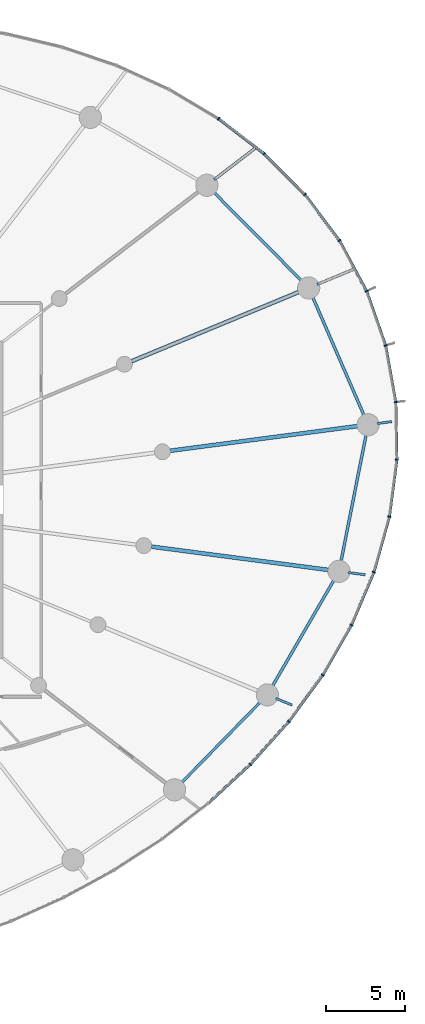
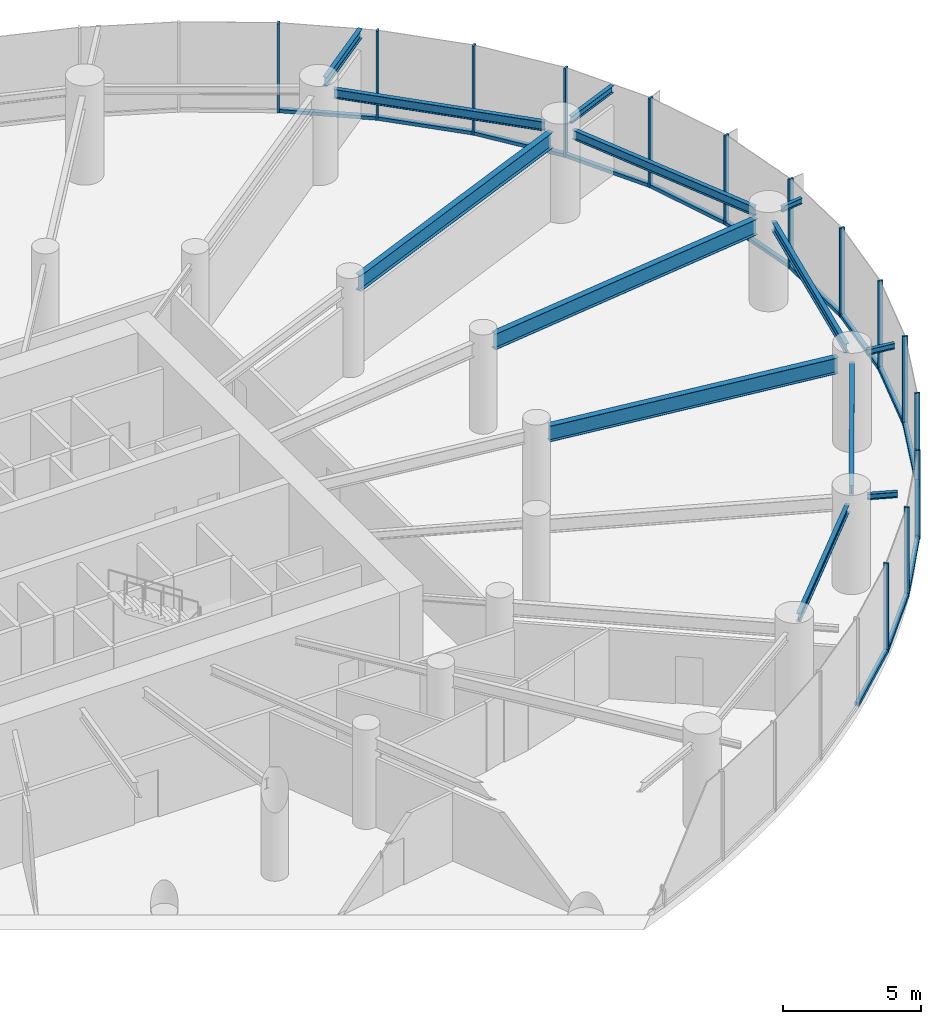
# One storey, part 8 of 18: 28 members, 13 beams, 3 elements without a shape of their own.
"""IFC4 building model written with IfcOpenShell, lengths in metres."""

import ifcopenshell
import ifcopenshell.guid

model = None  # the IFC model being written
_history = None  # IfcOwnerHistory: only IFC2X3 demands one
_inside = {}  # id of a spatial element -> (the spatial element, [elements in it])
_under = {}  # id of a project, library or spatial element -> (it, [spatial elements below it])
_declared = {}  # id of a project -> (the project, [libraries it declares])
_typed = {}  # id of a type object -> (the type object, [elements of that type])
_made_of = {}  # id of a material, layer set ... -> (it, [elements and type objects made of it])


def new_model(schema):
    """Start an empty IFC model of exactly this schema.

    Asked for "IFC4X3", IfcOpenShell would pick the latest addendum, in which some entities
    have other attributes; the version numbers below select the first issue.
    IFC2X3 requires an IfcOwnerHistory on every rooted entity: one is made here for all.
    """
    global model, _history
    if schema == "IFC4X3":
        model = ifcopenshell.file(schema_version=(4, 3, 0, 0))
    else:
        model = ifcopenshell.file(schema=schema)
    _inside.clear()
    _under.clear()
    _declared.clear()
    _typed.clear()
    _made_of.clear()
    _history = None
    if model.schema == "IFC2X3":
        org = make("IfcOrganization", Name="unknown")
        user = make(
            "IfcPersonAndOrganization",
            ThePerson=make("IfcPerson", FamilyName="unknown"),
            TheOrganization=org,
        )
        app = make(
            "IfcApplication",
            ApplicationDeveloper=org,
            Version="unknown",
            ApplicationFullName="unknown",
            ApplicationIdentifier="unknown",
        )
        _history = make(
            "IfcOwnerHistory",
            OwningUser=user,
            OwningApplication=app,
            ChangeAction="ADDED",
            CreationDate=0,
        )
    return model


def make(cls, **values):
    """One entity of the class cls with the attributes given. An attribute that is None is left unset."""
    return model.create_entity(
        cls, **{name: value for name, value in values.items() if value is not None}
    )


def rooted(cls, **values):
    """An entity with a GlobalId (a new one), such as an element, a storey or a relation."""
    return make(cls, GlobalId=ifcopenshell.guid.new(), OwnerHistory=_history, **values)


def si_unit(unit_type, name, prefix=None):
    """IfcSIUnit, for example si_unit("LENGTHUNIT", "METRE", prefix="MILLI")."""
    return make("IfcSIUnit", UnitType=unit_type, Prefix=prefix, Name=name)


def assignment(units):
    """IfcUnitAssignment: the units of a project."""
    return None if units is None else make("IfcUnitAssignment", Units=units)


def point(xyz):
    """IfcCartesianPoint."""
    return None if xyz is None else make("IfcCartesianPoint", Coordinates=xyz)


def direction(xyz):
    """IfcDirection."""
    return None if xyz is None else make("IfcDirection", DirectionRatios=xyz)


def frame(location, z_axis=None, x_axis=None):
    """IfcAxis2Placement3D, a coordinate frame: its origin and axes. An axis left out is left unset."""
    return make(
        "IfcAxis2Placement3D",
        Location=point(location),
        Axis=direction(z_axis),
        RefDirection=direction(x_axis),
    )


def frame_2d(location, x_axis=None):
    """IfcAxis2Placement2D, a coordinate frame in the plane: its origin and x axis."""
    return make(
        "IfcAxis2Placement2D", Location=point(location), RefDirection=direction(x_axis)
    )


def origin():
    """The frame at (0, 0, 0) with its axes left unset."""
    return frame((0.0, 0.0, 0.0))


def origin_2d():
    """The frame at (0, 0) in the plane with its x axis left unset."""
    return frame_2d((0.0, 0.0))


def place(relative_to, where):
    """IfcLocalPlacement: puts the frame where relative to a parent placement (None: the world)."""
    return make(
        "IfcLocalPlacement", PlacementRelTo=relative_to, RelativePlacement=where
    )


def context(
    kind, dimensions, precision=None, world=None, true_north=None, identifier=None
):
    """IfcGeometricRepresentationContext, for example the 3D "Model" context."""
    return make(
        "IfcGeometricRepresentationContext",
        ContextIdentifier=identifier,
        ContextType=kind,
        CoordinateSpaceDimension=dimensions,
        Precision=precision,
        WorldCoordinateSystem=world,
        TrueNorth=true_north,
    )


def subcontext(parent, identifier, kind, view, scale=None):
    """IfcGeometricRepresentationSubContext, for example "Body" below "Model"."""
    return make(
        "IfcGeometricRepresentationSubContext",
        ContextIdentifier=identifier,
        ContextType=kind,
        ParentContext=parent,
        TargetScale=scale,
        TargetView=view,
    )


def project(units=None, contexts=None):
    """IfcProject with its units and contexts."""
    return rooted(
        "IfcProject",
        Name="project",
        RepresentationContexts=contexts,
        UnitsInContext=assignment(units),
    )


def spatial(cls, under=None, at=None, **own):
    """A site, building, storey or space (cls), placed at a placement, below another one or the project."""
    s = rooted(cls, ObjectPlacement=at, **own)
    if under is not None:
        _under.setdefault(under.id(), (under, []))[1].append(s)
    return s


def profile(cls, at=None, kind="AREA", **sizes):
    """A parametric profile (cls). Its sizes go by their IFC names, for example OverallWidth=200.0."""
    return make(cls, ProfileType=kind, Position=at, **sizes)


def rectangle(**sizes):
    """IfcRectangleProfileDef."""
    return profile("IfcRectangleProfileDef", **sizes)


def i_section(**sizes):
    """IfcIShapeProfileDef."""
    return profile("IfcIShapeProfileDef", **sizes)


def extrude(swept, where, along, depth):
    """IfcExtrudedAreaSolid: the profile swept, set in the frame where, extruded along a direction by depth."""
    return make(
        "IfcExtrudedAreaSolid",
        SweptArea=swept,
        Position=where,
        ExtrudedDirection=direction(along),
        Depth=depth,
    )


def shape(context_of_items, identifier, shape_type, items):
    """IfcShapeRepresentation: the items that make up one representation, for example the "Body"."""
    return make(
        "IfcShapeRepresentation",
        ContextOfItems=context_of_items,
        RepresentationIdentifier=identifier,
        RepresentationType=shape_type,
        Items=items,
    )


def source(mapping_origin, context_of_items, identifier, shape_type, items):
    """IfcRepresentationMap: a shape defined once, which mapped items show again and again."""
    return make(
        "IfcRepresentationMap",
        MappingOrigin=mapping_origin,
        MappedRepresentation=shape(context_of_items, identifier, shape_type, items),
    )


def transform(
    local_origin,
    x_axis=None,
    y_axis=None,
    z_axis=None,
    scale=None,
    scale2=None,
    scale3=None,
    uniform=True,
):
    """IfcCartesianTransformationOperator3D, or its non-uniform kind. x_axis, y_axis, z_axis: its Axis1, 2, 3."""
    if uniform:
        return make(
            "IfcCartesianTransformationOperator3D",
            Axis1=direction(x_axis),
            Axis2=direction(y_axis),
            LocalOrigin=point(local_origin),
            Scale=scale,
            Axis3=direction(z_axis),
        )
    return make(
        "IfcCartesianTransformationOperator3DnonUniform",
        Axis1=direction(x_axis),
        Axis2=direction(y_axis),
        LocalOrigin=point(local_origin),
        Scale=scale,
        Axis3=direction(z_axis),
        Scale2=scale2,
        Scale3=scale3,
    )


def mapped(mapping_source, mapping_target):
    """IfcMappedItem: shows the shape of a source again, moved by a transform."""
    return make(
        "IfcMappedItem", MappingSource=mapping_source, MappingTarget=mapping_target
    )


def material(Name=None, Category=None):
    """IfcMaterial."""
    return make("IfcMaterial", Name=Name, Category=Category)


def layer(
    of_material, thickness, ventilated=None, Name=None, Category=None, Priority=None
):
    """IfcMaterialLayer: one layer of a wall or slab, of a material (None: an air gap)."""
    return make(
        "IfcMaterialLayer",
        Material=of_material,
        LayerThickness=thickness,
        IsVentilated=ventilated,
        Name=Name,
        Category=Category,
        Priority=Priority,
    )


def layer_set(layers, Name=None):
    """IfcMaterialLayerSet."""
    return make("IfcMaterialLayerSet", MaterialLayers=layers, LayerSetName=Name)


def material_profile(
    of_material, cross_section, Name=None, Category=None, Priority=None
):
    """IfcMaterialProfile: a cross section and its material."""
    return make(
        "IfcMaterialProfile",
        Name=Name,
        Material=of_material,
        Profile=cross_section,
        Priority=Priority,
        Category=Category,
    )


def profile_set(profiles, Name=None, composite=None):
    """IfcMaterialProfileSet."""
    return make(
        "IfcMaterialProfileSet",
        Name=Name,
        MaterialProfiles=profiles,
        CompositeProfile=composite,
    )


def made_of(thing, what):
    """Note that an element or type object is made of a material, layer set ...; save() writes the relation."""
    if what is not None:
        _made_of.setdefault(what.id(), (what, []))[1].append(thing)
    return thing


def type_object(cls, material=None, **own):
    """A type object (cls), such as IfcWallType, which elements share."""
    return made_of(rooted(cls, **own), material)


def element(
    cls,
    number,
    at=None,
    inside=None,
    cuts=None,
    type_object=None,
    material=None,
    context=None,
    identifier="Body",
    shape_type=None,
    held_by="IfcProductDefinitionShape",
    body=None,
    shapes=None,
    **own,
):
    """One element of the class cls, such as IfcWall. Its Tag is "e" and its number.

    at: its placement. inside: the storey or other place that contains it. cuts: it is an
    opening in that element (IfcRelVoidsElement). A single representation is given by context,
    identifier, shape_type and body (its items); several are given by shapes. held_by: the class
    of the entity that holds the representations. save() writes the other relations.
    """
    e = rooted(cls, Tag="e%d" % number, ObjectPlacement=at, **own)
    if body is not None:
        shapes = [shape(context, identifier, shape_type, body)]
    if shapes is not None:
        e.Representation = make(held_by, Representations=shapes)
    if inside is not None:
        _inside.setdefault(inside.id(), (inside, []))[1].append(e)
    if cuts is not None:
        rooted(
            "IfcRelVoidsElement", RelatingBuildingElement=cuts, RelatedOpeningElement=e
        )
    if type_object is not None:
        _typed.setdefault(type_object.id(), (type_object, []))[1].append(e)
    return made_of(e, material)


def aggregate(whole, parts):
    """IfcRelAggregates: a whole, such as a stair, and the parts it consists of."""
    return rooted("IfcRelAggregates", RelatingObject=whole, RelatedObjects=parts)


def save(model, path):
    """Write the relations noted so far, then the file.

    IfcRelAggregates (storeys below a building ...), IfcRelContainedInSpatialStructure (elements
    in a storey), IfcRelDefinesByType, IfcRelAssociatesMaterial and IfcRelDeclares: one each for
    every whole, place, type object, material and project.
    """
    for whole, parts in _under.values():
        aggregate(whole, parts)
    for where, things in _inside.values():
        rooted(
            "IfcRelContainedInSpatialStructure",
            RelatedElements=things,
            RelatingStructure=where,
        )
    for kind, things in _typed.values():
        rooted("IfcRelDefinesByType", RelatedObjects=things, RelatingType=kind)
    for what, things in _made_of.values():
        rooted("IfcRelAssociatesMaterial", RelatedObjects=things, RelatingMaterial=what)
    for by, libraries in _declared.values():
        rooted("IfcRelDeclares", RelatingContext=by, RelatedDefinitions=libraries)
    model.write(path)


model = new_model("IFC4")

# Units and contexts
model_context = context("Model", 3, precision=1e-05, world=origin(), true_north=direction((0.0, 1.0)))
body_context = subcontext(model_context, "Body", "Model", "MODEL_VIEW")
ifc_project = project(units=[si_unit("LENGTHUNIT", "METRE"), si_unit("AREAUNIT", "SQUARE_METRE"), si_unit("VOLUMEUNIT", "CUBIC_METRE"), si_unit("PLANEANGLEUNIT", "RADIAN"), si_unit("MASSUNIT", "GRAM", prefix="KILO")], contexts=[model_context])

# Site, building, storey
site_placement = place(None, origin())
site = spatial("IfcSite", under=ifc_project, at=site_placement, CompositionType="ELEMENT")
building_placement = place(site_placement, origin())
building = spatial("IfcBuilding", under=site, at=building_placement, Name="Spindrift Exchange Tower", CompositionType="ELEMENT")
storey_placement = place(building_placement, frame((0.0, 0.0, 66.60009765625)))
storey = spatial("IfcBuildingStorey", under=building, at=storey_placement, Name="L15", CompositionType="ELEMENT", Elevation=66.60009765625)

# Beams
ifc_material_1 = material(Name="Steel Grade 300", Category="steel")
ifc_material_profile_1 = material_profile(ifc_material_1, i_section(OverallWidth=0.25, OverallDepth=0.699951171875, WebThickness=0.008056640625, FlangeThickness=0.011962890625, at=origin_2d()), Name="700WB115")
ifc_profile_set_1 = profile_set([ifc_material_profile_1], Name="Steel Grade 300")
beam_type_1 = type_object("IfcBeamType", Name="Floor Beam 700WB115 Steel Grade 300", PredefinedType="BEAM", material=ifc_profile_set_1)
shared_shape_1 = source(origin(), body_context, "Body", "SweptSolid", [
    extrude(i_section(OverallWidth=0.25, OverallDepth=0.699951171875, WebThickness=0.008056640625, FlangeThickness=0.011962890625, at=origin_2d()), origin(), (0.0, 0.0, 1.0), 12.00830078125),
])
beam_1_placement = place(storey_placement, frame((75.509765625, 51.09521484375, 3.599853515625), z_axis=(0.991444950947, 0.130525511844, 0.0), x_axis=(-0.130525511844, 0.991444950947, 0.0)))
element("IfcBeam", 1, at=beam_1_placement, inside=storey, type_object=beam_type_1, Name="L15 radial beam R01B", PredefinedType="BEAM", context=body_context, shape_type="MappedRepresentation", body=[
    mapped(shared_shape_1, transform((0.0, 0.0, 0.0), scale=1.0)),
])
shared_shape_2 = source(origin(), body_context, "Body", "SweptSolid", [
    extrude(i_section(OverallWidth=0.25, OverallDepth=0.699951171875, WebThickness=0.008056640625, FlangeThickness=0.011962890625, at=origin_2d()), origin(), (0.0, 0.0, 1.0), 11.505859375),
])
beam_2_placement = place(storey_placement, frame((73.082763671875, 56.73291015625, 3.599853515625), z_axis=(0.923881578419, 0.38267849307, 0.0), x_axis=(-0.38267849307, 0.923881578419, 0.0)))
element("IfcBeam", 2, at=beam_2_placement, inside=storey, type_object=beam_type_1, Name="L15 radial beam R02B", PredefinedType="BEAM", context=body_context, shape_type="MappedRepresentation", body=[
    mapped(shared_shape_2, transform((0.0, 0.0, 0.0), scale=1.0)),
])
shared_shape_3 = source(origin(), body_context, "Body", "SweptSolid", [
    extrude(i_section(OverallWidth=0.25, OverallDepth=0.699951171875, WebThickness=0.008056640625, FlangeThickness=0.011962890625, at=origin_2d()), origin(), (0.0, 0.0, 1.0), 11.34423828125),
])
beam_3_placement = place(storey_placement, frame((74.339111328125, 45.05908203125, 3.599853515625), z_axis=(0.991444770187, -0.130526884848, 0.0), x_axis=(0.130526884848, 0.991444770187, 0.0)))
element("IfcBeam", 3, at=beam_3_placement, inside=storey, type_object=beam_type_1, Name="L15 radial beam R24B", PredefinedType="BEAM", context=body_context, shape_type="MappedRepresentation", body=[
    mapped(shared_shape_3, transform((0.0, 0.0, 0.0), scale=1.0)),
])
ifc_material_profile_2 = material_profile(ifc_material_1, i_section(OverallWidth=0.177978515625, OverallDepth=0.406005859375, WebThickness=0.0078125, FlangeThickness=0.0126953125, FilletRadius=0.013916015625, at=origin_2d()), Name="410UB59.7")
ifc_profile_set_2 = profile_set([ifc_material_profile_2], Name="Steel Grade 300")
beam_type_2 = type_object("IfcBeamType", Name="Edge Beam 410UB59.7 Steel Grade 300", PredefinedType="SPANDREL", material=ifc_profile_set_2)
shared_shape_4 = source(origin(), body_context, "Body", "SweptSolid", [
    extrude(i_section(OverallWidth=0.177978515625, OverallDepth=0.406005859375, WebThickness=0.0078125, FlangeThickness=0.0126953125, FilletRadius=0.013916015625, at=origin_2d()), origin(), (0.0, 0.0, 1.0), 8.23681640625),
])
beam_4_placement = place(storey_placement, frame((87.759521484375, 53.270263671875, 3.746826171875), z_axis=(-0.398186298756, 0.91730456855, 0.0), x_axis=(-0.91730456855, -0.398186298756, 0.0)))
element("IfcBeam", 4, at=beam_4_placement, inside=storey, type_object=beam_type_2, Name="L15 edge beam E01", PredefinedType="SPANDREL", context=body_context, shape_type="MappedRepresentation", body=[
    mapped(shared_shape_4, transform((0.0, 0.0, 0.0), scale=1.0)),
])
shared_shape_5 = source(origin(), body_context, "Body", "SweptSolid", [
    extrude(i_section(OverallWidth=0.177978515625, OverallDepth=0.406005859375, WebThickness=0.0078125, FlangeThickness=0.0126953125, FilletRadius=0.013916015625, at=origin_2d()), origin(), (0.0, 0.0, 1.0), 7.947509765625),
])
beam_5_placement = place(storey_placement, frame((83.840576171875, 61.769775390625, 3.746826171875), z_axis=(-0.704197895271, 0.710003749494, 0.0), x_axis=(-0.710003749494, -0.704197895271, 0.0)))
element("IfcBeam", 5, at=beam_5_placement, inside=storey, type_object=beam_type_2, Name="L15 edge beam E02", PredefinedType="SPANDREL", context=body_context, shape_type="MappedRepresentation", body=[
    mapped(shared_shape_5, transform((0.0, 0.0, 0.0), scale=1.0)),
])
ifc_material_profile_3 = material_profile(ifc_material_1, i_section(OverallWidth=0.172119140625, OverallDepth=0.35888671875, WebThickness=0.008056640625, FlangeThickness=0.012939453125, FilletRadius=0.013916015625, at=origin_2d()), Name="360UB56.7")
ifc_profile_set_3 = profile_set([ifc_material_profile_3], Name="Steel Grade 300")
beam_type_3 = type_object("IfcBeamType", Name="Edge Beam 360UB56.7 Steel Grade 300", PredefinedType="SPANDREL", material=ifc_profile_set_3)
shared_shape_6 = source(origin(), body_context, "Body", "SweptSolid", [
    extrude(i_section(OverallWidth=0.172119140625, OverallDepth=0.35888671875, WebThickness=0.008056640625, FlangeThickness=0.012939453125, FilletRadius=0.013916015625, at=origin_2d()), origin(), (0.0, 0.0, 1.0), 7.2041015625),
])
beam_6_placement = place(storey_placement, frame((76.205810546875, 30.152099609375, 3.7705078125), z_axis=(0.698703626006, 0.715411240481, 0.0), x_axis=(-0.715411240481, 0.698703626006, 0.0)))
element("IfcBeam", 6, at=beam_6_placement, inside=storey, type_object=beam_type_3, Name="L15 edge beam E22", PredefinedType="SPANDREL", context=body_context, shape_type="MappedRepresentation", body=[
    mapped(shared_shape_6, transform((0.0, 0.0, 0.0), scale=1.0)),
])
shared_shape_7 = source(origin(), body_context, "Body", "SweptSolid", [
    extrude(i_section(OverallWidth=0.177978515625, OverallDepth=0.406005859375, WebThickness=0.0078125, FlangeThickness=0.0126953125, FilletRadius=0.013916015625, at=origin_2d()), origin(), (0.0, 0.0, 1.0), 7.837646484375),
])
beam_7_placement = place(storey_placement, frame((81.935791015625, 36.222412109375, 3.746826171875), z_axis=(0.50198145655, 0.864878382942, 0.0), x_axis=(-0.864878382942, 0.50198145655, 0.0)))
element("IfcBeam", 7, at=beam_7_placement, inside=storey, type_object=beam_type_2, Name="L15 edge beam E23", PredefinedType="SPANDREL", context=body_context, shape_type="MappedRepresentation", body=[
    mapped(shared_shape_7, transform((0.0, 0.0, 0.0), scale=1.0)),
])
shared_shape_8 = source(origin(), body_context, "Body", "SweptSolid", [
    extrude(i_section(OverallWidth=0.177978515625, OverallDepth=0.406005859375, WebThickness=0.0078125, FlangeThickness=0.0126953125, FilletRadius=0.013916015625, at=origin_2d()), origin(), (0.0, 0.0, 1.0), 8.2548828125),
])
beam_8_placement = place(storey_placement, frame((86.27392578125, 44.071533203125, 3.746826171875), z_axis=(0.194278723288, 0.9809463684, 0.0), x_axis=(-0.9809463684, 0.194278723288, 0.0)))
element("IfcBeam", 8, at=beam_8_placement, inside=storey, type_object=beam_type_2, Name="L15 edge beam E24", PredefinedType="SPANDREL", context=body_context, shape_type="MappedRepresentation", body=[
    mapped(shared_shape_8, transform((0.0, 0.0, 0.0), scale=1.0)),
])
ifc_material_profile_4 = material_profile(ifc_material_1, i_section(OverallWidth=0.14599609375, OverallDepth=0.251953125, WebThickness=0.006103515625, FlangeThickness=0.008544921875, FilletRadius=0.011962890625, at=origin_2d()), Name="250UB31.4")
ifc_profile_set_4 = profile_set([ifc_material_profile_4], Name="Steel Grade 300")
beam_type_4 = type_object("IfcBeamType", Name="Cantilever Beam 250UB31.4 Steel Grade 300", PredefinedType="BEAM", material=ifc_profile_set_4)
shared_shape_9 = source(origin(), body_context, "Body", "SweptSolid", [
    extrude(i_section(OverallWidth=0.14599609375, OverallDepth=0.251953125, WebThickness=0.006103515625, FlangeThickness=0.008544921875, FilletRadius=0.011962890625, at=origin_2d()), origin(), (0.0, 0.0, 1.0), 0.926513671875),
])
beam_9_placement = place(storey_placement, frame((88.5654296875, 52.81396484375, 3.823974609375), z_axis=(0.991458778885, 0.130420434639, 0.0), x_axis=(-0.130420434639, 0.991458778885, 0.0)))
element("IfcBeam", 9, at=beam_9_placement, inside=storey, type_object=beam_type_4, Name="L15 cantilever beam R01T", PredefinedType="BEAM", context=body_context, shape_type="MappedRepresentation", body=[
    mapped(shared_shape_9, transform((0.0, 0.0, 0.0), scale=1.0)),
])
ifc_material_profile_5 = material_profile(ifc_material_1, i_section(OverallWidth=0.1650390625, OverallDepth=0.303955078125, WebThickness=0.006103515625, FlangeThickness=0.01025390625, FilletRadius=0.011474609375, at=origin_2d()), Name="310UB40.4")
ifc_profile_set_5 = profile_set([ifc_material_profile_5], Name="Steel Grade 300")
beam_type_5 = type_object("IfcBeamType", Name="Cantilever Beam 310UB40.4 Steel Grade 300", PredefinedType="BEAM", material=ifc_profile_set_5)
shared_shape_10 = source(origin(), body_context, "Body", "SweptSolid", [
    extrude(i_section(OverallWidth=0.1650390625, OverallDepth=0.303955078125, WebThickness=0.006103515625, FlangeThickness=0.01025390625, FilletRadius=0.011474609375, at=origin_2d()), origin(), (0.0, 0.0, 1.0), 2.484375),
])
beam_10_placement = place(storey_placement, frame((84.78466796875, 61.579833984375, 3.7978515625), z_axis=(0.923894676376, 0.382646869795, 0.0), x_axis=(-0.382646869795, 0.923894676376, 0.0)))
element("IfcBeam", 10, at=beam_10_placement, inside=storey, type_object=beam_type_5, Name="L15 cantilever beam R02T", PredefinedType="BEAM", context=body_context, shape_type="MappedRepresentation", body=[
    mapped(shared_shape_10, transform((0.0, 0.0, 0.0), scale=1.0)),
])
ifc_material_profile_6 = material_profile(ifc_material_1, i_section(OverallWidth=0.177978515625, OverallDepth=0.406005859375, WebThickness=0.0078125, FlangeThickness=0.0126953125, FilletRadius=0.013916015625, at=origin_2d()), Name="410UB59.7")
ifc_profile_set_6 = profile_set([ifc_material_profile_6], Name="Steel Grade 300")
beam_type_6 = type_object("IfcBeamType", Name="Cantilever Beam 410UB59.7 Steel Grade 300", PredefinedType="BEAM", material=ifc_profile_set_6)
shared_shape_11 = source(origin(), body_context, "Body", "SweptSolid", [
    extrude(i_section(OverallWidth=0.177978515625, OverallDepth=0.406005859375, WebThickness=0.0078125, FlangeThickness=0.0126953125, FilletRadius=0.013916015625, at=origin_2d()), origin(), (0.0, 0.0, 1.0), 3.36572265625),
])
beam_11_placement = place(storey_placement, frame((78.295654296875, 68.177490234375, 3.746826171875), z_axis=(0.793362283194, 0.608749774213, 0.0), x_axis=(-0.608749774213, 0.793362283194, 0.0)))
element("IfcBeam", 11, at=beam_11_placement, inside=storey, type_object=beam_type_6, Name="L15 cantilever beam R03T", PredefinedType="BEAM", context=body_context, shape_type="MappedRepresentation", body=[
    mapped(shared_shape_11, transform((0.0, 0.0, 0.0), scale=1.0)),
])
shared_shape_12 = source(origin(), body_context, "Body", "SweptSolid", [
    extrude(i_section(OverallWidth=0.14599609375, OverallDepth=0.251953125, WebThickness=0.006103515625, FlangeThickness=0.008544921875, FilletRadius=0.011962890625, at=origin_2d()), origin(), (0.0, 0.0, 1.0), 1.105712890625),
])
beam_12_placement = place(storey_placement, frame((82.180419921875, 35.498779296875, 3.823974609375), z_axis=(0.923884961757, -0.382670324743, 0.0), x_axis=(0.382670324743, 0.923884961757, 0.0)))
element("IfcBeam", 12, at=beam_12_placement, inside=storey, type_object=beam_type_4, Name="L15 cantilever beam R23T", PredefinedType="BEAM", context=body_context, shape_type="MappedRepresentation", body=[
    mapped(shared_shape_12, transform((0.0, 0.0, 0.0), scale=1.0)),
])
shared_shape_13 = source(origin(), body_context, "Body", "SweptSolid", [
    extrude(i_section(OverallWidth=0.14599609375, OverallDepth=0.251953125, WebThickness=0.006103515625, FlangeThickness=0.008544921875, FilletRadius=0.011962890625, at=origin_2d()), origin(), (0.0, 0.0, 1.0), 1.0810546875),
])
beam_13_placement = place(storey_placement, frame((86.736083984375, 43.427001953125, 3.823974609375), z_axis=(0.991443530498, -0.130536300826, 0.0), x_axis=(0.130536300826, 0.991443530498, 0.0)))
element("IfcBeam", 13, at=beam_13_placement, inside=storey, type_object=beam_type_4, Name="L15 cantilever beam R24T", PredefinedType="BEAM", context=body_context, shape_type="MappedRepresentation", body=[
    mapped(shared_shape_13, transform((0.0, 0.0, 0.0), scale=1.0)),
])

# Curtain wall, members
ifc_material_2 = material(Name="Fritted laminated glass with bronze frame", Category="glass")
ifc_layer = layer(ifc_material_2, 0.199951171875)
ifc_layer_set = layer_set([ifc_layer], Name="ZONE 1 BRONZE FRITTED WALL")
curtain_wall_type = type_object("IfcCurtainWallType", Name="ZONE 1 BRONZE FRITTED WALL", PredefinedType="NOTDEFINED", material=ifc_layer_set)
curtain_wall_1_placement = place(storey_placement, origin())
curtain_wall_1 = element("IfcCurtainWall", 14, at=curtain_wall_1_placement, inside=storey, type_object=curtain_wall_type, Name="L15 Zone 1 Bronze Fritted Wall run 1", PredefinedType="NOTDEFINED")
ifc_material_3 = material(Name="Bronze anodised aluminium", Category="aluminium")
ifc_material_profile_7 = material_profile(ifc_material_3, rectangle(XDim=0.080078125, YDim=0.199951171875, at=origin_2d()), Name="ZONE 1 BRONZE FRITTED WALL MULLION 80X200")
ifc_profile_set_7 = profile_set([ifc_material_profile_7], Name="Bronze anodised aluminium")
member_type_1 = type_object("IfcMemberType", Name="ZONE 1 BRONZE FRITTED WALL MULLION 80X200", PredefinedType="MULLION", material=ifc_profile_set_7)
shared_shape_14 = source(origin(), body_context, "Body", "SweptSolid", [
    extrude(rectangle(XDim=0.080078125, YDim=0.199951171875, at=origin_2d()), origin(), (0.0, 0.0, 1.0), 3.949951171875),
])
member_1_placement = place(storey_placement, frame((89.095458984375, 57.72900390625, 0.0), z_axis=(0.0, 0.0, 1.0), x_axis=(-0.253692312734, 0.96728496859, 0.0)))
member_1 = element("IfcMember", 15, at=member_1_placement, type_object=member_type_1, Name="L15 mullion CW-1.1", PredefinedType="MULLION", context=body_context, shape_type="MappedRepresentation", body=[
    mapped(shared_shape_14, transform((0.0, 0.0, 0.0), scale=1.0)),
])
member_2_placement = place(storey_placement, frame((87.899658203125, 61.150390625, 0.0), z_axis=(0.0, 0.0, 1.0), x_axis=(-0.402977229075, 0.915210004779, 0.0)))
member_2 = element("IfcMember", 16, at=member_2_placement, type_object=member_type_1, Name="L15 mullion CW-1.2", PredefinedType="MULLION", context=body_context, shape_type="MappedRepresentation", body=[
    mapped(shared_shape_14, transform((0.0, 0.0, 0.0), scale=1.0)),
])
member_3_placement = place(storey_placement, frame((86.18310546875, 64.343017578125, 0.0), z_axis=(0.0, 0.0, 1.0), x_axis=(-0.538384940646, 0.84269903031, 0.0)))
member_3 = element("IfcMember", 17, at=member_3_placement, type_object=member_type_1, Name="L15 mullion CW-1.3", PredefinedType="MULLION", context=body_context, shape_type="MappedRepresentation", body=[
    mapped(shared_shape_14, transform((0.0, 0.0, 0.0), scale=1.0)),
])
member_4_placement = place(storey_placement, frame((84.007568359375, 67.242431640625, 0.0), z_axis=(0.0, 0.0, 1.0), x_axis=(-0.655018745406, 0.755612627718, 0.0)))
member_4 = element("IfcMember", 18, at=member_4_placement, type_object=member_type_1, Name="L15 mullion CW-1.4", PredefinedType="MULLION", context=body_context, shape_type="MappedRepresentation", body=[
    mapped(shared_shape_14, transform((0.0, 0.0, 0.0), scale=1.0)),
])
member_5_placement = place(storey_placement, frame((81.44580078125, 69.807861328125, 0.0), z_axis=(0.0, 0.0, 1.0), x_axis=(-0.751095321306, 0.660193773307, 0.0)))
member_5 = element("IfcMember", 19, at=member_5_placement, type_object=member_type_1, Name="L15 mullion CW-1.5", PredefinedType="MULLION", context=body_context, shape_type="MappedRepresentation", body=[
    mapped(shared_shape_14, transform((0.0, 0.0, 0.0), scale=1.0)),
])
member_6_placement = place(storey_placement, frame((78.572509765625, 72.01953125, 0.0), z_axis=(0.0, 0.0, 1.0), x_axis=(-0.827399595751, 0.561613665211, 0.0)))
member_6 = element("IfcMember", 20, at=member_6_placement, type_object=member_type_1, Name="L15 mullion CW-1.6", PredefinedType="MULLION", context=body_context, shape_type="MappedRepresentation", body=[
    mapped(shared_shape_14, transform((0.0, 0.0, 0.0), scale=1.0)),
])

curtain_wall_2_placement = place(storey_placement, origin())
curtain_wall_2 = element("IfcCurtainWall", 21, at=curtain_wall_2_placement, inside=storey, type_object=curtain_wall_type, Name="L15 Zone 1 Bronze Fritted Wall run 9", PredefinedType="NOTDEFINED")
member_7_placement = place(storey_placement, frame((80.57470703125, 31.340087890625, 0.0), z_axis=(0.0, 0.0, 1.0), x_axis=(0.701821655006, 0.712352696748, 0.0)))
member_7 = element("IfcMember", 22, at=member_7_placement, type_object=member_type_1, Name="L15 mullion CW-1.52", PredefinedType="MULLION", context=body_context, shape_type="MappedRepresentation", body=[
    mapped(shared_shape_14, transform((0.0, 0.0, 0.0), scale=1.0)),
])
member_8_placement = place(storey_placement, frame((82.996826171875, 34.039794921875, 0.0), z_axis=(0.0, 0.0, 1.0), x_axis=(0.629514516676, 0.776988721471, 0.0)))
member_8 = element("IfcMember", 23, at=member_8_placement, type_object=member_type_1, Name="L15 mullion CW-1.53", PredefinedType="MULLION", context=body_context, shape_type="MappedRepresentation", body=[
    mapped(shared_shape_14, transform((0.0, 0.0, 0.0), scale=1.0)),
])
member_9_placement = place(storey_placement, frame((85.135009765625, 36.96875, 0.0), z_axis=(0.0, 0.0, 1.0), x_axis=(0.544560031667, 0.838721868029, 0.0)))
member_9 = element("IfcMember", 24, at=member_9_placement, type_object=member_type_1, Name="L15 mullion CW-1.54", PredefinedType="MULLION", context=body_context, shape_type="MappedRepresentation", body=[
    mapped(shared_shape_14, transform((0.0, 0.0, 0.0), scale=1.0)),
])

curtain_wall_3_placement = place(storey_placement, origin())
curtain_wall_3 = element("IfcCurtainWall", 25, at=curtain_wall_3_placement, inside=storey, type_object=curtain_wall_type, Name="L15 Zone 1 Bronze Fritted Wall run 10", PredefinedType="NOTDEFINED")
member_10_placement = place(storey_placement, frame((86.940673828125, 40.11376953125, 0.0), z_axis=(0.0, 0.0, 1.0), x_axis=(0.445280164842, 0.89539129703, 0.0)))
member_10 = element("IfcMember", 26, at=member_10_placement, type_object=member_type_1, Name="L15 mullion CW-1.55", PredefinedType="MULLION", context=body_context, shape_type="MappedRepresentation", body=[
    mapped(shared_shape_14, transform((0.0, 0.0, 0.0), scale=1.0)),
])
member_11_placement = place(storey_placement, frame((88.358642578125, 43.45068359375, 0.0), z_axis=(0.0, 0.0, 1.0), x_axis=(0.330406101184, 0.943838867763, 0.0)))
member_11 = element("IfcMember", 27, at=member_11_placement, type_object=member_type_1, Name="L15 mullion CW-1.56", PredefinedType="MULLION", context=body_context, shape_type="MappedRepresentation", body=[
    mapped(shared_shape_14, transform((0.0, 0.0, 0.0), scale=1.0)),
])
member_12_placement = place(storey_placement, frame((89.331298828125, 46.943115234375, 0.0), z_axis=(0.0, 0.0, 1.0), x_axis=(0.199843928356, 0.979827742156, 0.0)))
member_12 = element("IfcMember", 28, at=member_12_placement, type_object=member_type_1, Name="L15 mullion CW-1.57", PredefinedType="MULLION", context=body_context, shape_type="MappedRepresentation", body=[
    mapped(shared_shape_14, transform((0.0, 0.0, 0.0), scale=1.0)),
])
member_13_placement = place(storey_placement, frame((89.803955078125, 50.537353515625, 0.0), z_axis=(0.0, 0.0, 1.0), x_axis=(0.055506851861, 0.998458306289, 0.0)))
member_13 = element("IfcMember", 29, at=member_13_placement, type_object=member_type_1, Name="L15 mullion CW-1.58", PredefinedType="MULLION", context=body_context, shape_type="MappedRepresentation", body=[
    mapped(shared_shape_14, transform((0.0, 0.0, 0.0), scale=1.0)),
])
member_14_placement = place(storey_placement, frame((89.732666015625, 54.1611328125, 0.0), z_axis=(0.0, 0.0, 1.0), x_axis=(-0.098056572081, 0.995180842195, 0.0)))
member_14 = element("IfcMember", 30, at=member_14_placement, type_object=member_type_1, Name="L15 mullion CW-1.59", PredefinedType="MULLION", context=body_context, shape_type="MappedRepresentation", body=[
    mapped(shared_shape_14, transform((0.0, 0.0, 0.0), scale=1.0)),
])

# Member
ifc_material_profile_8 = material_profile(ifc_material_3, rectangle(XDim=0.179931640625, YDim=0.14990234375, at=origin_2d()), Name="ZONE 1 BRONZE FRITTED WALL TRANSOM 180X150")
ifc_profile_set_8 = profile_set([ifc_material_profile_8], Name="Bronze anodised aluminium")
member_type_2 = type_object("IfcMemberType", Name="ZONE 1 BRONZE FRITTED WALL TRANSOM 180X150", PredefinedType="USERDEFINED", material=ifc_profile_set_8)
shared_shape_15 = source(origin(), body_context, "Body", "SweptSolid", [
    extrude(rectangle(XDim=0.179931640625, YDim=0.14990234375, at=origin_2d()), origin(), (0.0, 0.0, 1.0), 3.54443359375),
])
member_15_placement = place(storey_placement, frame((89.082275390625, 57.766845703125, 0.074951171875), z_axis=(-0.329936191229, 0.944003236074, 0.0), x_axis=(-0.944003236074, -0.329936191229, 0.0)))
member_15 = element("IfcMember", 31, at=member_15_placement, type_object=member_type_2, Name="L15 transom CW-1.1", ObjectType="TRANSOM", PredefinedType="USERDEFINED", context=body_context, shape_type="MappedRepresentation", body=[
    mapped(shared_shape_15, transform((0.0, 0.0, 0.0), scale=1.0)),
])

member_16_placement = place(storey_placement, frame((89.80322265625, 50.577392578125, 0.074951171875), z_axis=(-0.019699930977, 0.99980593753, 0.0), x_axis=(-0.99980593753, -0.019699930977, 0.0)))
member_16 = element("IfcMember", 32, at=member_16_placement, type_object=member_type_2, Name="L15 transom CW-1.58", ObjectType="TRANSOM", PredefinedType="USERDEFINED", context=body_context, shape_type="MappedRepresentation", body=[
    mapped(shared_shape_15, transform((0.0, 0.0, 0.0), scale=1.0)),
])

shared_shape_16 = source(origin(), body_context, "Body", "SweptSolid", [
    extrude(rectangle(XDim=0.179931640625, YDim=0.14990234375, at=origin_2d()), origin(), (0.0, 0.0, 1.0), 3.544921875),
])
member_17_placement = place(storey_placement, frame((86.1591796875, 64.375, 0.074951171875), z_axis=(-0.600198325928, 0.799851217135, 0.0), x_axis=(-0.799851217135, -0.600198325928, 0.0)))
member_17 = element("IfcMember", 33, at=member_17_placement, type_object=member_type_2, Name="L15 transom CW-1.3", ObjectType="TRANSOM", PredefinedType="USERDEFINED", context=body_context, shape_type="MappedRepresentation", body=[
    mapped(shared_shape_16, transform((0.0, 0.0, 0.0), scale=1.0)),
])

member_18_placement = place(storey_placement, frame((89.336669921875, 46.98291015625, 0.074951171875), z_axis=(0.130372560945, 0.991465075206, 0.0), x_axis=(-0.991465075206, 0.130372560945, 0.0)))
member_18 = element("IfcMember", 34, at=member_18_placement, type_object=member_type_2, Name="L15 transom CW-1.57", ObjectType="TRANSOM", PredefinedType="USERDEFINED", context=body_context, shape_type="MappedRepresentation", body=[
    mapped(shared_shape_16, transform((0.0, 0.0, 0.0), scale=1.0)),
])

shared_shape_17 = source(origin(), body_context, "Body", "SweptSolid", [
    extrude(rectangle(XDim=0.179931640625, YDim=0.14990234375, at=origin_2d()), origin(), (0.0, 0.0, 1.0), 3.545654296875),
])
member_19_placement = place(storey_placement, frame((86.956298828125, 40.150634765625, 0.074951171875), z_axis=(0.391108562667, 0.920344550812, 0.0), x_axis=(-0.920344550812, 0.391108562667, 0.0)))
member_19 = element("IfcMember", 35, at=member_19_placement, type_object=member_type_2, Name="L15 transom CW-1.55", ObjectType="TRANSOM", PredefinedType="USERDEFINED", context=body_context, shape_type="MappedRepresentation", body=[
    mapped(shared_shape_17, transform((0.0, 0.0, 0.0), scale=1.0)),
])

shared_shape_18 = source(origin(), body_context, "Body", "SweptSolid", [
    extrude(rectangle(XDim=0.179931640625, YDim=0.14990234375, at=origin_2d()), origin(), (0.0, 0.0, 1.0), 3.546875),
])
member_20_placement = place(storey_placement, frame((77.94091796875, 28.9052734375, 0.074951171875), z_axis=(0.734301846411, 0.678823097985, 0.0), x_axis=(-0.678823097985, 0.734301846411, 0.0)))
member_20 = element("IfcMember", 36, at=member_20_placement, type_object=member_type_2, Name="L15 transom CW-1.51", ObjectType="TRANSOM", PredefinedType="USERDEFINED", context=body_context, shape_type="MappedRepresentation", body=[
    mapped(shared_shape_18, transform((0.0, 0.0, 0.0), scale=1.0)),
])

member_21_placement = place(storey_placement, frame((80.6015625, 31.369873046875, 0.074951171875), z_axis=(0.667800246328, 0.744340534301, 0.0), x_axis=(-0.744340534301, 0.667800246328, 0.0)))
member_21 = element("IfcMember", 37, at=member_21_placement, type_object=member_type_2, Name="L15 transom CW-1.52", ObjectType="TRANSOM", PredefinedType="USERDEFINED", context=body_context, shape_type="MappedRepresentation", body=[
    mapped(shared_shape_18, transform((0.0, 0.0, 0.0), scale=1.0)),
])

shared_shape_19 = source(origin(), body_context, "Body", "SweptSolid", [
    extrude(rectangle(XDim=0.179931640625, YDim=0.14990234375, at=origin_2d()), origin(), (0.0, 0.0, 1.0), 3.54638671875),
])
member_22_placement = place(storey_placement, frame((85.155029296875, 37.00341796875, 0.074951171875), z_axis=(0.497857930149, 0.867258601219, 0.0), x_axis=(-0.867258601219, 0.497857930149, 0.0)))
member_22 = element("IfcMember", 38, at=member_22_placement, type_object=member_type_2, Name="L15 transom CW-1.54", ObjectType="TRANSOM", PredefinedType="USERDEFINED", context=body_context, shape_type="MappedRepresentation", body=[
    mapped(shared_shape_19, transform((0.0, 0.0, 0.0), scale=1.0)),
])

shared_shape_20 = source(origin(), body_context, "Body", "SweptSolid", [
    extrude(rectangle(XDim=0.179931640625, YDim=0.14990234375, at=origin_2d()), origin(), (0.0, 0.0, 1.0), 3.546630859375),
])
member_23_placement = place(storey_placement, frame((83.0205078125, 34.072021484375, 0.074951171875), z_axis=(0.5896074616, 0.807689941268, 0.0), x_axis=(-0.807689941268, 0.5896074616, 0.0)))
member_23 = element("IfcMember", 39, at=member_23_placement, type_object=member_type_2, Name="L15 transom CW-1.53", ObjectType="TRANSOM", PredefinedType="USERDEFINED", context=body_context, shape_type="MappedRepresentation", body=[
    mapped(shared_shape_20, transform((0.0, 0.0, 0.0), scale=1.0)),
])

aggregate(curtain_wall_2, [member_20, member_7, member_21, member_8, member_23, member_9, member_22])

shared_shape_21 = source(origin(), body_context, "Body", "SweptSolid", [
    extrude(rectangle(XDim=0.179931640625, YDim=0.14990234375, at=origin_2d()), origin(), (0.0, 0.0, 1.0), 3.5458984375),
])
member_24_placement = place(storey_placement, frame((81.4140625, 69.832275390625, 0.074951171875), z_axis=(-0.792426859758, 0.609966943313, 0.0), x_axis=(-0.609966943313, -0.792426859758, 0.0)))
member_24 = element("IfcMember", 40, at=member_24_placement, type_object=member_type_2, Name="L15 transom CW-1.5", ObjectType="TRANSOM", PredefinedType="USERDEFINED", context=body_context, shape_type="MappedRepresentation", body=[
    mapped(shared_shape_21, transform((0.0, 0.0, 0.0), scale=1.0)),
])

shared_shape_22 = source(origin(), body_context, "Body", "SweptSolid", [
    extrude(rectangle(XDim=0.179931640625, YDim=0.14990234375, at=origin_2d()), origin(), (0.0, 0.0, 1.0), 3.544189453125),
])
member_25_placement = place(storey_placement, frame((89.7255859375, 54.20068359375, 0.074951171875), z_axis=(-0.175793022616, 0.984427149768, 0.0), x_axis=(-0.984427149768, -0.175793022616, 0.0)))
member_25 = element("IfcMember", 41, at=member_25_placement, type_object=member_type_2, Name="L15 transom CW-1.59", ObjectType="TRANSOM", PredefinedType="USERDEFINED", context=body_context, shape_type="MappedRepresentation", body=[
    mapped(shared_shape_22, transform((0.0, 0.0, 0.0), scale=1.0)),
])

shared_shape_23 = source(origin(), body_context, "Body", "SweptSolid", [
    extrude(rectangle(XDim=0.179931640625, YDim=0.14990234375, at=origin_2d()), origin(), (0.0, 0.0, 1.0), 3.544677734375),
])
member_26_placement = place(storey_placement, frame((87.880615234375, 61.185791015625, 0.074951171875), z_axis=(-0.473520595709, 0.88078274588, 0.0), x_axis=(-0.88078274588, -0.473520595709, 0.0)))
member_26 = element("IfcMember", 42, at=member_26_placement, type_object=member_type_2, Name="L15 transom CW-1.2", ObjectType="TRANSOM", PredefinedType="USERDEFINED", context=body_context, shape_type="MappedRepresentation", body=[
    mapped(shared_shape_23, transform((0.0, 0.0, 0.0), scale=1.0)),
])

shared_shape_24 = source(origin(), body_context, "Body", "SweptSolid", [
    extrude(rectangle(XDim=0.179931640625, YDim=0.14990234375, at=origin_2d()), origin(), (0.0, 0.0, 1.0), 3.54541015625),
])
member_27_placement = place(storey_placement, frame((83.979248046875, 67.270751953125, 0.074951171875), z_axis=(-0.706590129662, 0.707623055492, 0.0), x_axis=(-0.707623055492, -0.706590129662, 0.0)))
member_27 = element("IfcMember", 43, at=member_27_placement, type_object=member_type_2, Name="L15 transom CW-1.4", ObjectType="TRANSOM", PredefinedType="USERDEFINED", context=body_context, shape_type="MappedRepresentation", body=[
    mapped(shared_shape_24, transform((0.0, 0.0, 0.0), scale=1.0)),
])

aggregate(curtain_wall_1, [member_1, member_15, member_2, member_26, member_3, member_17, member_4, member_27, member_5, member_24, member_6])

member_28_placement = place(storey_placement, frame((88.369384765625, 43.4892578125, 0.074951171875), z_axis=(0.268275970393, 0.963342101078, 0.0), x_axis=(-0.963342101078, 0.268275970393, 0.0)))
member_28 = element("IfcMember", 44, at=member_28_placement, type_object=member_type_2, Name="L15 transom CW-1.56", ObjectType="TRANSOM", PredefinedType="USERDEFINED", context=body_context, shape_type="MappedRepresentation", body=[
    mapped(shared_shape_24, transform((0.0, 0.0, 0.0), scale=1.0)),
])

aggregate(curtain_wall_3, [member_10, member_19, member_11, member_28, member_12, member_18, member_13, member_16, member_14, member_25])

save(model, "model.ifc")
